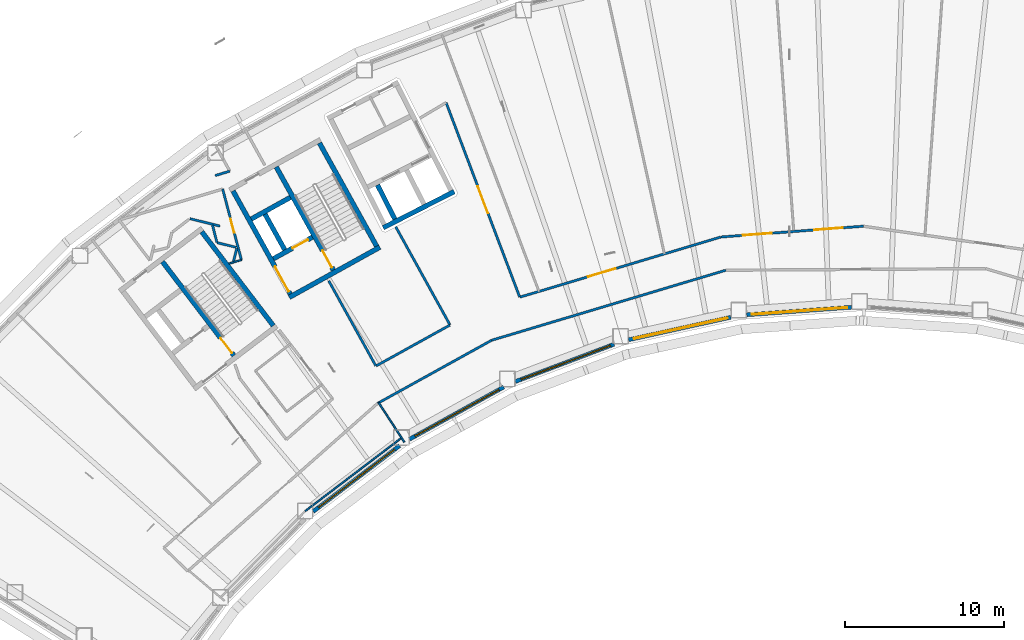
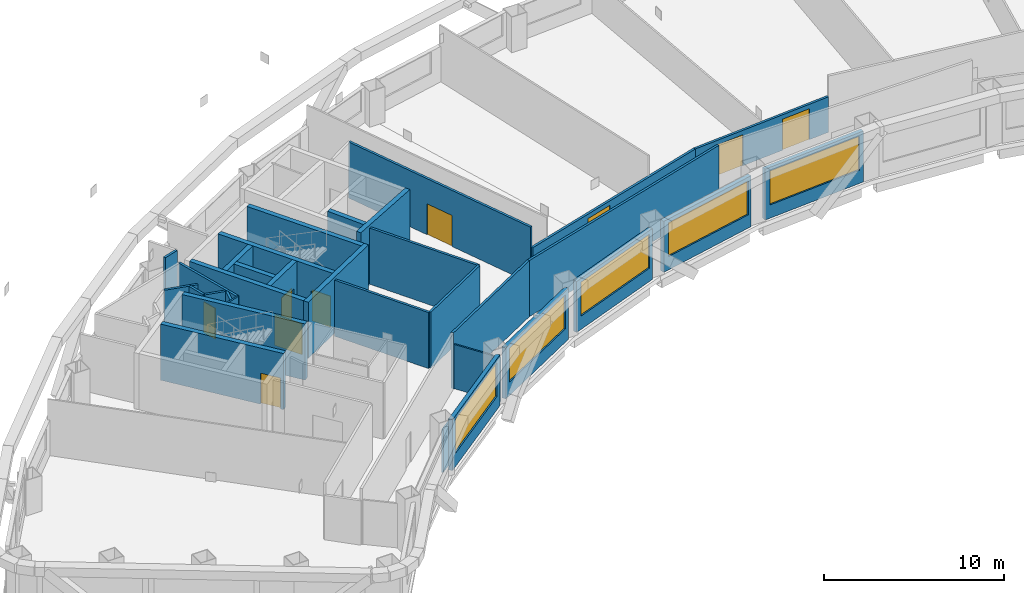
# One storey, part 4 of 19: 33 walls, 9 doors, 5 windows, 14 openings.
"""IFC4 building model written with IfcOpenShell, lengths in metres."""

from ifc_helpers import new_model, si_unit, direction, frame, frame_2d, origin, place, context, subcontext, project, spatial, rectangle, extrude, material, layer, layer_set, type_object, element, fill, save


model = new_model("IFC4")

# Units and contexts
model_context = context("Model", 3, precision=1e-05, world=origin(), true_north=direction((0.0, 1.0)))
body_context = subcontext(model_context, "Body", "Model", "MODEL_VIEW")
ifc_project = project(units=[si_unit("LENGTHUNIT", "METRE"), si_unit("AREAUNIT", "SQUARE_METRE"), si_unit("VOLUMEUNIT", "CUBIC_METRE"), si_unit("PLANEANGLEUNIT", "RADIAN"), si_unit("MASSUNIT", "GRAM", prefix="KILO")], contexts=[model_context])

# Site, building, storey
site_placement = place(None, origin())
site = spatial("IfcSite", under=ifc_project, at=site_placement, CompositionType="ELEMENT")
building_placement = place(site_placement, origin())
building = spatial("IfcBuilding", under=site, at=building_placement, Name="Tuul Gate Civic Tower", CompositionType="ELEMENT")
storey_placement = place(building_placement, frame((0.0, 0.0, 163.39990234375)))
storey = spatial("IfcBuildingStorey", under=building, at=storey_placement, Name="Level 37", CompositionType="ELEMENT", Elevation=163.39990234375)

# Wall
ifc_material_1 = material(Name="Concrete C50/60", Category="concrete")
ifc_layer_1 = layer(ifc_material_1, 0.300048828125)
ifc_layer_set_1 = layer_set([ifc_layer_1], Name="Concrete C50/60")
wall_type_1 = type_object("IfcWallType", Name="Core wall C50/60", PredefinedType="SHEAR", material=ifc_layer_set_1)
wall_1_placement = place(storey_placement, frame((-31.401123046875, -13.64111328125, 0.0), z_axis=(0.0, 0.0, 1.0), x_axis=(-0.605769822278, 0.795639945213, 0.0)))
element("IfcWall", 1, at=wall_1_placement, inside=storey, type_object=wall_type_1, Name="Core wall", PredefinedType="SHEAR", context=body_context, shape_type="SweptSolid", body=[
    extrude(rectangle(XDim=7.39990234375, YDim=0.300048828125, at=frame_2d((3.699951171875, 0.0))), origin(), (0.0, 0.0, 1.0), 3.800048828125),
])

# Wall, opening, door
wall_2_placement = place(storey_placement, frame((-33.867431640625, -15.51904296875, 0.0), z_axis=(0.0, 0.0, 1.0), x_axis=(-0.605769822278, 0.795639945213, 0.0)))
wall_2 = element("IfcWall", 2, at=wall_2_placement, inside=storey, type_object=wall_type_1, Name="Core wall", PredefinedType="SHEAR", context=body_context, shape_type="SweptSolid", body=[
    extrude(rectangle(XDim=7.39990234375, YDim=0.300048828125, at=frame_2d((3.699951171875, 0.0))), origin(), (0.0, 0.0, 1.0), 3.800048828125),
])
opening_1_placement = place(wall_2_placement, frame((0.199951171875, 0.0, 0.0)))
opening_1 = element("IfcOpeningElement", 3, at=opening_1_placement, cuts=wall_2, Name="Opening SD-ST-1", PredefinedType="OPENING", context=body_context, shape_type="SweptSolid", body=[
    extrude(rectangle(XDim=1.199951171875, YDim=2.10009765625, at=frame_2d((0.60009765625, 1.050048828125))), frame((0.0, 0.16015625, 0.0), z_axis=(0.0, -1.0, 0.0), x_axis=(1.0, 0.0, 0.0)), (0.0, 0.0, 1.0), 0.320068359375),
])
ifc_material_2 = material(Name="Steel", Category="steel")
door_type_1 = type_object("IfcDoorType", Name="Stair door", OperationType="NOTDEFINED", PredefinedType="DOOR", material=ifc_material_2)
door_1_placement = place(opening_1_placement, origin())
door_1 = element("IfcDoor", 4, at=door_1_placement, inside=storey, type_object=door_type_1, Name="Stair door ST-1", OperationType="SINGLE_SWING_LEFT", OverallHeight=2.10009765625, OverallWidth=1.199951171875, PredefinedType="DOOR", context=body_context, shape_type="SweptSolid", body=[
    extrude(rectangle(XDim=1.199951171875, YDim=2.10009765625, at=frame_2d((0.60009765625, 1.050048828125))), frame((0.0, 0.02490234375, 0.0), z_axis=(0.0, -1.0, 0.0), x_axis=(1.0, 0.0, 0.0)), (0.0, 0.0, 1.0), 0.050048828125),
])
fill(opening_1, door_1)

# Wall
wall_3_placement = place(storey_placement, frame((-24.711669921875, -8.7158203125, 0.0), z_axis=(0.0, 0.0, 1.0), x_axis=(-0.874629909008, -0.484791215132, 0.0)))
element("IfcWall", 5, at=wall_3_placement, inside=storey, type_object=wall_type_1, Name="Core wall", PredefinedType="SHEAR", context=body_context, shape_type="SweptSolid", body=[
    extrude(rectangle(XDim=6.5, YDim=0.300048828125, at=frame_2d((3.25, 0.0))), origin(), (0.0, 0.0, 1.0), 3.800048828125),
])

# Wall, opening, door
wall_4_placement = place(storey_placement, frame((-28.94580078125, -8.090087890625, 0.0), z_axis=(0.0, 0.0, 1.0), x_axis=(-0.874629840737, -0.484791338301, 0.0)))
wall_4 = element("IfcWall", 6, at=wall_4_placement, inside=storey, type_object=wall_type_1, Name="Core wall", PredefinedType="SHEAR", context=body_context, shape_type="SweptSolid", body=[
    extrude(rectangle(XDim=2.800048828125, YDim=0.300048828125, at=frame_2d((1.39990234375, 0.0))), origin(), (0.0, 0.0, 1.0), 3.800048828125),
])
opening_2_placement = place(wall_4_placement, frame((0.324951171875, 0.0, 0.0)))
opening_2 = element("IfcOpeningElement", 7, at=opening_2_placement, cuts=wall_4, Name="Opening LD-FF-1", PredefinedType="OPENING", context=body_context, shape_type="SweptSolid", body=[
    extrude(rectangle(XDim=1.10009765625, YDim=2.10009765625, at=frame_2d((0.550048828125, 1.050048828125))), frame((0.0, 0.16015625, 0.0), z_axis=(0.0, -1.0, 0.0), x_axis=(1.0, 0.0, 0.0)), (0.0, 0.0, 1.0), 0.320068359375),
])
ifc_material_3 = material(Name="Stainless steel", Category="steel")
door_type_2 = type_object("IfcDoorType", Name="Landing door", OperationType="DOUBLE_DOOR_SLIDING", PredefinedType="DOOR", material=ifc_material_3)
door_2_placement = place(opening_2_placement, origin())
door_2 = element("IfcDoor", 8, at=door_2_placement, inside=storey, type_object=door_type_2, Name="Fire-fighting lift FF-1 landing door", OperationType="DOUBLE_DOOR_SLIDING", OverallHeight=2.10009765625, OverallWidth=1.10009765625, PredefinedType="DOOR", context=body_context, shape_type="SweptSolid", body=[
    extrude(rectangle(XDim=1.10009765625, YDim=2.10009765625, at=frame_2d((0.550048828125, 1.050048828125))), frame((0.0, 0.02490234375, 0.0), z_axis=(0.0, -1.0, 0.0), x_axis=(1.0, 0.0, 0.0)), (0.0, 0.0, 1.0), 0.050048828125),
])
fill(opening_2, door_2)

# Walls
wall_5_placement = place(storey_placement, frame((-30.327392578125, -5.59716796875, 0.0), z_axis=(0.0, 0.0, 1.0), x_axis=(-0.874629840737, -0.484791338301, 0.0)))
element("IfcWall", 9, at=wall_5_placement, inside=storey, type_object=wall_type_1, Name="Core wall", PredefinedType="SHEAR", context=body_context, shape_type="SweptSolid", body=[
    extrude(rectangle(XDim=2.800048828125, YDim=0.300048828125, at=frame_2d((1.39990234375, 0.0))), origin(), (0.0, 0.0, 1.0), 3.800048828125),
])
wall_6_placement = place(storey_placement, frame((-24.91552734375, -8.6572265625, 0.0), z_axis=(0.0, 0.0, 1.0), x_axis=(-0.484777133038, 0.874637714304, 0.0)))
element("IfcWall", 10, at=wall_6_placement, inside=storey, type_object=wall_type_1, Name="Core wall", PredefinedType="SHEAR", context=body_context, shape_type="SweptSolid", body=[
    extrude(rectangle(XDim=7.400146484375, YDim=0.300048828125, at=frame_2d((3.7001953125, 0.0))), origin(), (0.0, 0.0, 1.0), 3.800048828125),
])

# Wall, opening, door
wall_7_placement = place(storey_placement, frame((-27.626953125, -10.16015625, 0.0), z_axis=(0.0, 0.0, 1.0), x_axis=(-0.484751894226, 0.874651702704, 0.0)))
wall_7 = element("IfcWall", 11, at=wall_7_placement, inside=storey, type_object=wall_type_1, Name="Core wall", PredefinedType="SHEAR", context=body_context, shape_type="SweptSolid", body=[
    extrude(rectangle(XDim=7.39990234375, YDim=0.300048828125, at=frame_2d((3.699951171875, 0.0))), origin(), (0.0, 0.0, 1.0), 3.800048828125),
])
opening_3_placement = place(wall_7_placement, frame((0.199951171875, 0.0, 0.0)))
opening_3 = element("IfcOpeningElement", 12, at=opening_3_placement, cuts=wall_7, Name="Opening SD-ST-2", PredefinedType="OPENING", context=body_context, shape_type="SweptSolid", body=[
    extrude(rectangle(XDim=1.199951171875, YDim=2.10009765625, at=frame_2d((0.60009765625, 1.050048828125))), frame((0.0, 0.16015625, 0.0), z_axis=(0.0, -1.0, 0.0), x_axis=(1.0, 0.0, 0.0)), (0.0, 0.0, 1.0), 0.320068359375),
])
door_3_placement = place(opening_3_placement, origin())
door_3 = element("IfcDoor", 13, at=door_3_placement, inside=storey, type_object=door_type_1, Name="Stair door ST-2", OperationType="SINGLE_SWING_LEFT", OverallHeight=2.10009765625, OverallWidth=1.199951171875, PredefinedType="DOOR", context=body_context, shape_type="SweptSolid", body=[
    extrude(rectangle(XDim=1.199951171875, YDim=2.10009765625, at=frame_2d((0.60009765625, 1.050048828125))), frame((0.0, 0.02490234375, 0.0), z_axis=(0.0, -1.0, 0.0), x_axis=(1.0, 0.0, 0.0)), (0.0, 0.0, 1.0), 0.050048828125),
])
fill(opening_3, door_3)

# Wall
wall_8_placement = place(storey_placement, frame((-30.680419921875, -8.8798828125, 0.0), z_axis=(0.0, 0.0, 1.0), x_axis=(-0.484724115216, 0.874667097888, 0.0)))
element("IfcWall", 14, at=wall_8_placement, inside=storey, type_object=wall_type_1, Name="Core wall", PredefinedType="SHEAR", context=body_context, shape_type="SweptSolid", body=[
    extrude(rectangle(XDim=2.550048828125, YDim=0.300048828125, at=frame_2d((1.27490234375, 0.0))), origin(), (0.0, 0.0, 1.0), 3.800048828125),
])

# Wall, opening, door
wall_9_placement = place(storey_placement, frame((-30.33837890625, -11.6630859375, 0.0), z_axis=(0.0, 0.0, 1.0), x_axis=(-0.484751894226, 0.874651702704, 0.0)))
wall_9 = element("IfcWall", 15, at=wall_9_placement, inside=storey, type_object=wall_type_1, Name="Core wall", PredefinedType="SHEAR", context=body_context, shape_type="SweptSolid", body=[
    extrude(rectangle(XDim=7.39990234375, YDim=0.300048828125, at=frame_2d((3.699951171875, 0.0))), origin(), (0.0, 0.0, 1.0), 3.800048828125),
])
opening_4_placement = place(wall_9_placement, frame((0.175048828125, 0.0, 0.0)))
opening_4 = element("IfcOpeningElement", 16, at=opening_4_placement, cuts=wall_9, Name="Opening LB-W2-FLOBBY-1", PredefinedType="OPENING", context=body_context, shape_type="SweptSolid", body=[
    extrude(rectangle(XDim=1.800048828125, YDim=2.10009765625, at=frame_2d((0.89990234375, 1.050048828125))), frame((0.0, 0.16015625, 0.0), z_axis=(0.0, -1.0, 0.0), x_axis=(1.0, 0.0, 0.0)), (0.0, 0.0, 1.0), 0.320068359375),
])
ifc_material_4 = material(Name="Steel", Category="steel")
door_type_3 = type_object("IfcDoorType", Name="Lobby door", OperationType="DOUBLE_DOOR_SINGLE_SWING", PredefinedType="DOOR", material=ifc_material_4)
door_4_placement = place(opening_4_placement, frame((1.800048828125, 0.0, 0.0), z_axis=(0.0, 0.0, 1.0), x_axis=(-1.0, 0.0, 0.0)))
door_4 = element("IfcDoor", 17, at=door_4_placement, inside=storey, type_object=door_type_3, Name="Lobby door W2-FLOBBY", OperationType="DOUBLE_DOOR_SINGLE_SWING", OverallHeight=2.10009765625, OverallWidth=1.800048828125, PredefinedType="DOOR", context=body_context, shape_type="SweptSolid", body=[
    extrude(rectangle(XDim=1.800048828125, YDim=2.10009765625, at=frame_2d((0.900146484375, 1.050048828125))), frame((0.0, 0.02490234375, 0.0), z_axis=(0.0, -1.0, 0.0), x_axis=(1.0, 0.0, 0.0)), (0.0, 0.0, 1.0), 0.050048828125),
])
fill(opening_4, door_4)

ifc_material_5 = material(Name="Gypsum board partition")
ifc_layer_2 = layer(ifc_material_5, 0.14990234375)
ifc_layer_set_2 = layer_set([ifc_layer_2], Name="Gypsum board partition")
wall_type_2 = type_object("IfcWallType", Name="Corridor wall P150", PredefinedType="PARTITIONING", material=ifc_layer_set_2)
wall_10_placement = place(storey_placement, frame((-20.558349609375, 0.35009765625, 0.0), z_axis=(0.0, 0.0, 1.0), x_axis=(0.354009888457, -0.935241679394, 0.0)))
wall_10 = element("IfcWall", 18, at=wall_10_placement, inside=storey, type_object=wall_type_2, Name="p025", PredefinedType="PARTITIONING", context=body_context, shape_type="SweptSolid", body=[
    extrude(rectangle(XDim=13.0341796875, YDim=0.14990234375, at=frame_2d((6.51708984375, 0.0))), origin(), (0.0, 0.0, 1.0), 3.800048828125),
])
opening_5_placement = place(wall_10_placement, frame((5.6171875, 0.0, 0.0)))
opening_5 = element("IfcOpeningElement", 19, at=opening_5_placement, cuts=wall_10, Name="Opening M-D09", PredefinedType="OPENING", context=body_context, shape_type="SweptSolid", body=[
    extrude(rectangle(XDim=1.800048828125, YDim=2.10009765625, at=frame_2d((0.89990234375, 1.050048828125))), frame((0.0, 0.0849609375, 0.0), z_axis=(0.0, -1.0, 0.0), x_axis=(1.0, 0.0, 0.0)), (0.0, 0.0, 1.0), 0.169921875),
])
ifc_material_6 = material(Name="Timber door leaf, double", Category="wood")
door_type_4 = type_object("IfcDoorType", Name="Door D18", OperationType="DOUBLE_DOOR_SINGLE_SWING", PredefinedType="DOOR", material=ifc_material_6)
door_5_placement = place(opening_5_placement, origin())
door_5 = element("IfcDoor", 20, at=door_5_placement, inside=storey, type_object=door_type_4, Name="Door M-D09", OperationType="DOUBLE_DOOR_SINGLE_SWING", OverallHeight=2.10009765625, OverallWidth=1.800048828125, PredefinedType="DOOR", context=body_context, shape_type="SweptSolid", body=[
    extrude(rectangle(XDim=1.800048828125, YDim=2.10009765625, at=frame_2d((0.89990234375, 1.050048828125))), frame((0.0, 0.02490234375, 0.0), z_axis=(0.0, -1.0, 0.0), x_axis=(1.0, 0.0, 0.0)), (0.0, 0.0, 1.0), 0.050048828125),
])
fill(opening_5, door_5)

# Walls
wall_11_placement = place(storey_placement, frame((-23.71826171875, -7.438720703125, 0.0), z_axis=(0.0, 0.0, 1.0), x_axis=(0.484048931003, -0.87504093184, 0.0)))
element("IfcWall", 21, at=wall_11_placement, inside=storey, type_object=wall_type_2, Name="p027", PredefinedType="PARTITIONING", context=body_context, shape_type="SweptSolid", body=[
    extrude(rectangle(XDim=7.02587890625, YDim=0.14990234375, at=frame_2d((3.512939453125, 0.0))), origin(), (0.0, 0.0, 1.0), 3.800048828125),
])
wall_12_placement = place(storey_placement, frame((-24.942626953125, -16.166015625, 0.0), z_axis=(0.0, 0.0, 1.0), x_axis=(0.874968135555, 0.484180505352, 0.0)))
element("IfcWall", 22, at=wall_12_placement, inside=storey, type_object=wall_type_2, Name="p028", PredefinedType="PARTITIONING", context=body_context, shape_type="SweptSolid", body=[
    extrude(rectangle(XDim=5.275390625, YDim=0.14990234375, at=frame_2d((2.6376953125, 0.0))), origin(), (0.0, 0.0, 1.0), 3.800048828125),
])
wall_13_placement = place(storey_placement, frame((-27.91650390625, -10.835205078125, 0.0), z_axis=(0.0, 0.0, 1.0), x_axis=(0.484211103294, -0.874951202894, 0.0)))
element("IfcWall", 23, at=wall_13_placement, inside=storey, type_object=wall_type_2, Name="p030", PredefinedType="PARTITIONING", context=body_context, shape_type="SweptSolid", body=[
    extrude(rectangle(XDim=6.083251953125, YDim=0.14990234375, at=frame_2d((3.04150390625, 0.0))), origin(), (0.0, 0.0, 1.0), 3.800048828125),
])
wall_14_placement = place(storey_placement, frame((-33.906005859375, -9.671142578125, 0.0), z_axis=(0.0, 0.0, 1.0), x_axis=(0.23968309313, 0.970851180598, 0.0)))
element("IfcWall", 24, at=wall_14_placement, inside=storey, type_object=wall_type_2, Name="p031", PredefinedType="PARTITIONING", context=body_context, shape_type="SweptSolid", body=[
    extrude(rectangle(XDim=0.906494140625, YDim=0.14990234375, at=frame_2d((0.453125, 0.0))), origin(), (0.0, 0.0, 1.0), 3.800048828125),
])
wall_15_placement = place(storey_placement, frame((-34.923583984375, -8.434326171875, 0.0), z_axis=(0.0, 0.0, 1.0), x_axis=(0.970779178177, -0.239974555355, 0.0)))
element("IfcWall", 25, at=wall_15_placement, inside=storey, type_object=wall_type_2, Name="p033", PredefinedType="PARTITIONING", context=body_context, shape_type="SweptSolid", body=[
    extrude(rectangle(XDim=1.234130859375, YDim=0.14990234375, at=frame_2d((0.6171875, 0.0))), origin(), (0.0, 0.0, 1.0), 3.800048828125),
])
wall_16_placement = place(storey_placement, frame((-34.93798828125, -8.41015625, 0.0), z_axis=(0.0, 0.0, 1.0), x_axis=(-0.244242242557, 0.969714250153, 0.0)))
element("IfcWall", 26, at=wall_16_placement, inside=storey, type_object=wall_type_2, Name="p034", PredefinedType="PARTITIONING", context=body_context, shape_type="SweptSolid", body=[
    extrude(rectangle(XDim=1.110595703125, YDim=0.14990234375, at=frame_2d((0.55517578125, 0.0))), origin(), (0.0, 0.0, 1.0), 3.800048828125),
])
wall_17_placement = place(storey_placement, frame((-36.623046875, -6.93310546875, 0.0), z_axis=(0.0, 0.0, 1.0), x_axis=(0.970856461528, -0.239661701381, 0.0)))
element("IfcWall", 27, at=wall_17_placement, inside=storey, type_object=wall_type_2, Name="p035", PredefinedType="PARTITIONING", context=body_context, shape_type="SweptSolid", body=[
    extrude(rectangle(XDim=1.939697265625, YDim=0.14990234375, at=frame_2d((0.9697265625, 0.0))), origin(), (0.0, 0.0, 1.0), 3.800048828125),
])

# Wall, opening, door
wall_18_placement = place(storey_placement, frame((-34.57421875, -5.072265625, 0.0), z_axis=(0.0, 0.0, 1.0), x_axis=(0.255677872775, -0.966762031409, 0.0)))
wall_18 = element("IfcWall", 28, at=wall_18_placement, inside=storey, type_object=wall_type_2, Name="p042", PredefinedType="PARTITIONING", context=body_context, shape_type="SweptSolid", body=[
    extrude(rectangle(XDim=4.594970703125, YDim=0.14990234375, at=frame_2d((2.29736328125, 0.0))), origin(), (0.0, 0.0, 1.0), 3.800048828125),
])
opening_6_placement = place(wall_18_placement, frame((1.930908203125, 0.0, 0.0)))
opening_6 = element("IfcOpeningElement", 29, at=opening_6_placement, cuts=wall_18, Name="Opening M-D10", PredefinedType="OPENING", context=body_context, shape_type="SweptSolid", body=[
    extrude(rectangle(XDim=0.89990234375, YDim=2.10009765625, at=frame_2d((0.449951171875, 1.050048828125))), frame((0.0, 0.0849609375, 0.0), z_axis=(0.0, -1.0, 0.0), x_axis=(1.0, 0.0, 0.0)), (0.0, 0.0, 1.0), 0.169921875),
])
ifc_material_7 = material(Name="Timber door leaf", Category="wood")
door_type_5 = type_object("IfcDoorType", Name="Door D09", OperationType="NOTDEFINED", PredefinedType="DOOR", material=ifc_material_7)
door_6_placement = place(opening_6_placement, origin())
door_6 = element("IfcDoor", 30, at=door_6_placement, inside=storey, type_object=door_type_5, Name="Door M-D10", OperationType="SINGLE_SWING_RIGHT", OverallHeight=2.10009765625, OverallWidth=0.89990234375, PredefinedType="DOOR", context=body_context, shape_type="SweptSolid", body=[
    extrude(rectangle(XDim=0.89990234375, YDim=2.10009765625, at=frame_2d((0.449951171875, 1.050048828125))), frame((0.0, 0.02490234375, 0.0), z_axis=(0.0, -1.0, 0.0), x_axis=(1.0, 0.0, 0.0)), (0.0, 0.0, 1.0), 0.050048828125),
])
fill(opening_6, door_6)

# Walls
wall_19_placement = place(storey_placement, frame((-24.854248046875, -18.51708984375, 0.0), z_axis=(0.0, 0.0, 1.0), x_axis=(0.874976152278, 0.484166017958, 0.0)))
element("IfcWall", 31, at=wall_19_placement, inside=storey, type_object=wall_type_2, Name="p057", PredefinedType="PARTITIONING", context=body_context, shape_type="SweptSolid", body=[
    extrude(rectangle(XDim=8.17236328125, YDim=0.14990234375, at=frame_2d((4.086181640625, 0.0))), origin(), (0.0, 0.0, 1.0), 3.800048828125),
])
wall_20_placement = place(storey_placement, frame((-17.70361328125, -14.560302734375, 0.0), z_axis=(0.0, 0.0, 1.0), x_axis=(0.958035068095, 0.286651021804, 0.0)))
element("IfcWall", 32, at=wall_20_placement, inside=storey, type_object=wall_type_2, Name="p058", PredefinedType="PARTITIONING", context=body_context, shape_type="SweptSolid", body=[
    extrude(rectangle(XDim=15.333251953125, YDim=0.14990234375, at=frame_2d((7.66650390625, 0.0))), origin(), (0.0, 0.0, 1.0), 3.800048828125),
])
wall_21_placement = place(storey_placement, frame((-35.049560546875, -4.23291015625, 0.0), z_axis=(0.0, 0.0, 1.0), x_axis=(0.955246740778, 0.295810182773, 0.0)))
element("IfcWall", 33, at=wall_21_placement, inside=storey, type_object=wall_type_2, Name="p064", PredefinedType="PARTITIONING", context=body_context, shape_type="SweptSolid", body=[
    extrude(rectangle(XDim=0.96484375, YDim=0.14990234375, at=frame_2d((0.482421875, 0.0))), origin(), (0.0, 0.0, 1.0), 3.800048828125),
])

# Wall, openings, doors
ifc_material_8 = material(Name="Gypsum board partition")
ifc_layer_3 = layer(ifc_material_8, 0.14990234375)
ifc_layer_set_3 = layer_set([ifc_layer_3], Name="Gypsum board partition")
wall_type_3 = type_object("IfcWallType", Name="Corridor wall P150 2400 HIGH", PredefinedType="PARTITIONING", material=ifc_layer_set_3)
wall_22_placement = place(storey_placement, frame((-3.32275390625, -8.082275390625, 0.0), z_axis=(0.0, 0.0, 1.0), x_axis=(0.997138148299, 0.075601013265, 0.0)))
wall_22 = element("IfcWall", 34, at=wall_22_placement, inside=storey, type_object=wall_type_3, Name="p021", PredefinedType="PARTITIONING", context=body_context, shape_type="SweptSolid", body=[
    extrude(rectangle(XDim=8.964599609375, YDim=0.14990234375, at=frame_2d((4.482421875, 0.0))), origin(), (0.0, 0.0, 1.0), 2.400146484375),
])
opening_7_placement = place(wall_22_placement, frame((5.875244140625, 0.0, 0.0)))
opening_7 = element("IfcOpeningElement", 35, at=opening_7_placement, cuts=wall_22, Name="Opening M-D06", PredefinedType="OPENING", context=body_context, shape_type="SweptSolid", body=[
    extrude(rectangle(XDim=1.800048828125, YDim=2.10009765625, at=frame_2d((0.89990234375, 1.050048828125))), frame((0.0, 0.0849609375, 0.0), z_axis=(0.0, -1.0, 0.0), x_axis=(1.0, 0.0, 0.0)), (0.0, 0.0, 1.0), 0.169921875),
])
opening_8_placement = place(wall_22_placement, frame((1.39306640625, 0.0, 0.0)))
opening_8 = element("IfcOpeningElement", 36, at=opening_8_placement, cuts=wall_22, Name="Opening M-D07", PredefinedType="OPENING", context=body_context, shape_type="SweptSolid", body=[
    extrude(rectangle(XDim=1.800048828125, YDim=2.10009765625, at=frame_2d((0.89990234375, 1.050048828125))), frame((0.0, 0.0849609375, 0.0), z_axis=(0.0, -1.0, 0.0), x_axis=(1.0, 0.0, 0.0)), (0.0, 0.0, 1.0), 0.169921875),
])
door_7_placement = place(opening_7_placement, origin())
door_7 = element("IfcDoor", 37, at=door_7_placement, inside=storey, type_object=door_type_4, Name="Door M-D06", OperationType="DOUBLE_DOOR_SINGLE_SWING", OverallHeight=2.10009765625, OverallWidth=1.800048828125, PredefinedType="DOOR", context=body_context, shape_type="SweptSolid", body=[
    extrude(rectangle(XDim=1.800048828125, YDim=2.10009765625, at=frame_2d((0.89990234375, 1.050048828125))), frame((0.0, 0.02490234375, 0.0), z_axis=(0.0, -1.0, 0.0), x_axis=(1.0, 0.0, 0.0)), (0.0, 0.0, 1.0), 0.050048828125),
])
fill(opening_7, door_7)
door_8_placement = place(opening_8_placement, origin())
door_8 = element("IfcDoor", 38, at=door_8_placement, inside=storey, type_object=door_type_4, Name="Door M-D07", OperationType="DOUBLE_DOOR_SINGLE_SWING", OverallHeight=2.10009765625, OverallWidth=1.800048828125, PredefinedType="DOOR", context=body_context, shape_type="SweptSolid", body=[
    extrude(rectangle(XDim=1.800048828125, YDim=2.10009765625, at=frame_2d((0.89990234375, 1.050048828125))), frame((0.0, 0.02490234375, 0.0), z_axis=(0.0, -1.0, 0.0), x_axis=(1.0, 0.0, 0.0)), (0.0, 0.0, 1.0), 0.050048828125),
])
fill(opening_8, door_8)

# Wall, opening, door
wall_23_placement = place(storey_placement, frame((-15.919677734375, -11.851318359375, 0.0), z_axis=(0.0, 0.0, 1.0), x_axis=(0.95802895797, 0.286671442055, 0.0)))
wall_23 = element("IfcWall", 39, at=wall_23_placement, inside=storey, type_object=wall_type_3, Name="p023", PredefinedType="PARTITIONING", context=body_context, shape_type="SweptSolid", body=[
    extrude(rectangle(XDim=13.146728515625, YDim=0.14990234375, at=frame_2d((6.5732421875, 0.0))), origin(), (0.0, 0.0, 1.0), 2.400146484375),
])
opening_9_placement = place(wall_23_placement, frame((4.446044921875, 0.0, 0.0)))
opening_9 = element("IfcOpeningElement", 40, at=opening_9_placement, cuts=wall_23, Name="Opening M-D08", PredefinedType="OPENING", context=body_context, shape_type="SweptSolid", body=[
    extrude(rectangle(XDim=1.800048828125, YDim=2.10009765625, at=frame_2d((0.89990234375, 1.050048828125))), frame((0.0, 0.0849609375, 0.0), z_axis=(0.0, -1.0, 0.0), x_axis=(1.0, 0.0, 0.0)), (0.0, 0.0, 1.0), 0.169921875),
])
door_9_placement = place(opening_9_placement, origin())
door_9 = element("IfcDoor", 41, at=door_9_placement, inside=storey, type_object=door_type_4, Name="Door M-D08", OperationType="DOUBLE_DOOR_SINGLE_SWING", OverallHeight=2.10009765625, OverallWidth=1.800048828125, PredefinedType="DOOR", context=body_context, shape_type="SweptSolid", body=[
    extrude(rectangle(XDim=1.800048828125, YDim=2.10009765625, at=frame_2d((0.89990234375, 1.050048828125))), frame((0.0, 0.02490234375, 0.0), z_axis=(0.0, -1.0, 0.0), x_axis=(1.0, 0.0, 0.0)), (0.0, 0.0, 1.0), 0.050048828125),
])
fill(opening_9, door_9)

# Wall, opening, window
ifc_material_9 = material(Name="Precast concrete C40/50", Category="concrete")
ifc_layer_4 = layer(ifc_material_9, 0.25)
ifc_layer_set_4 = layer_set([ifc_layer_4], Name="Precast concrete C40/50")
wall_type_4 = type_object("IfcWallType", Name="External wall", PredefinedType="STANDARD", material=ifc_layer_set_4)
wall_24_placement = place(storey_placement, frame((-28.89306640625, -25.2998046875, 0.0), z_axis=(0.0, 0.0, 1.0), x_axis=(0.795597025415, 0.605826190546, 0.0)))
wall_24 = element("IfcWall", 42, at=wall_24_placement, inside=storey, type_object=wall_type_4, Name="External wall", PredefinedType="STANDARD", context=body_context, shape_type="SweptSolid", body=[
    extrude(rectangle(XDim=6.813232421875, YDim=0.25, at=frame_2d((3.40673828125, 0.0))), origin(), (0.0, 0.0, 1.0), 3.4501953125),
])
opening_10_placement = place(wall_24_placement, frame((0.41552734375, 0.0, 0.89990234375)))
opening_10 = element("IfcOpeningElement", 43, at=opening_10_placement, cuts=wall_24, Name="Opening W26", PredefinedType="OPENING", context=body_context, shape_type="SweptSolid", body=[
    extrude(rectangle(XDim=6.0, YDim=2.300048828125, at=frame_2d((3.0, 1.14990234375))), frame((0.0, 0.135009765625, 0.0), z_axis=(0.0, -1.0, 0.0), x_axis=(1.0, 0.0, 0.0)), (0.0, 0.0, 1.0), 0.27001953125),
])
ifc_material_10 = material(Name="Glass", Category="glass")
window_type = type_object("IfcWindowType", Name="Window W26 6000 x 2300", PartitioningType="SINGLE_PANEL", PredefinedType="WINDOW", material=ifc_material_10)
window_1_placement = place(opening_10_placement, origin())
window_1 = element("IfcWindow", 44, at=window_1_placement, inside=storey, type_object=window_type, Name="Window", OverallHeight=2.300048828125, OverallWidth=6.0, PartitioningType="SINGLE_PANEL", PredefinedType="WINDOW", context=body_context, shape_type="SweptSolid", body=[
    extrude(rectangle(XDim=6.0, YDim=2.300048828125, at=frame_2d((3.0, 1.14990234375))), frame((0.0, 0.030029296875, 0.0), z_axis=(0.0, -1.0, 0.0), x_axis=(1.0, 0.0, 0.0)), (0.0, 0.0, 1.0), 0.06005859375),
])
fill(opening_10, window_1)

wall_25_placement = place(storey_placement, frame((-22.85302734375, -20.766845703125, 0.0), z_axis=(0.0, 0.0, 1.0), x_axis=(0.874615488592, 0.484817230628, 0.0)))
wall_25 = element("IfcWall", 45, at=wall_25_placement, inside=storey, type_object=wall_type_4, Name="External wall", PredefinedType="STANDARD", context=body_context, shape_type="SweptSolid", body=[
    extrude(rectangle(XDim=6.7548828125, YDim=0.25, at=frame_2d((3.37744140625, 0.0))), origin(), (0.0, 0.0, 1.0), 3.4501953125),
])
opening_11_placement = place(wall_25_placement, frame((0.40478515625, 0.0, 0.89990234375)))
opening_11 = element("IfcOpeningElement", 46, at=opening_11_placement, cuts=wall_25, Name="Opening W26", PredefinedType="OPENING", context=body_context, shape_type="SweptSolid", body=[
    extrude(rectangle(XDim=6.0, YDim=2.300048828125, at=frame_2d((3.0, 1.14990234375))), frame((0.0, 0.135009765625, 0.0), z_axis=(0.0, -1.0, 0.0), x_axis=(1.0, 0.0, 0.0)), (0.0, 0.0, 1.0), 0.27001953125),
])
window_2_placement = place(opening_11_placement, origin())
window_2 = element("IfcWindow", 47, at=window_2_placement, inside=storey, type_object=window_type, Name="Window", OverallHeight=2.300048828125, OverallWidth=6.0, PartitioningType="SINGLE_PANEL", PredefinedType="WINDOW", context=body_context, shape_type="SweptSolid", body=[
    extrude(rectangle(XDim=6.0, YDim=2.300048828125, at=frame_2d((3.0, 1.14990234375))), frame((0.0, 0.030029296875, 0.0), z_axis=(0.0, -1.0, 0.0), x_axis=(1.0, 0.0, 0.0)), (0.0, 0.0, 1.0), 0.06005859375),
])
fill(opening_11, window_2)

wall_26_placement = place(storey_placement, frame((-16.212890625, -17.150146484375, 0.0), z_axis=(0.0, 0.0, 1.0), x_axis=(0.935354811562, 0.353710865662, 0.0)))
wall_26 = element("IfcWall", 48, at=wall_26_placement, inside=storey, type_object=wall_type_4, Name="External wall", PredefinedType="STANDARD", context=body_context, shape_type="SweptSolid", body=[
    extrude(rectangle(XDim=6.624755859375, YDim=0.25, at=frame_2d((3.3125, 0.0))), origin(), (0.0, 0.0, 1.0), 3.4501953125),
])
opening_12_placement = place(wall_26_placement, frame((0.384521484375, 0.0, 0.89990234375)))
opening_12 = element("IfcOpeningElement", 49, at=opening_12_placement, cuts=wall_26, Name="Opening W26", PredefinedType="OPENING", context=body_context, shape_type="SweptSolid", body=[
    extrude(rectangle(XDim=6.0, YDim=2.300048828125, at=frame_2d((3.0, 1.14990234375))), frame((0.0, 0.135009765625, 0.0), z_axis=(0.0, -1.0, 0.0), x_axis=(1.0, 0.0, 0.0)), (0.0, 0.0, 1.0), 0.27001953125),
])
window_3_placement = place(opening_12_placement, origin())
window_3 = element("IfcWindow", 50, at=window_3_placement, inside=storey, type_object=window_type, Name="Window", OverallHeight=2.300048828125, OverallWidth=6.0, PartitioningType="SINGLE_PANEL", PredefinedType="WINDOW", context=body_context, shape_type="SweptSolid", body=[
    extrude(rectangle(XDim=6.0, YDim=2.300048828125, at=frame_2d((3.0, 1.14990234375))), frame((0.0, 0.030029296875, 0.0), z_axis=(0.0, -1.0, 0.0), x_axis=(1.0, 0.0, 0.0)), (0.0, 0.0, 1.0), 0.06005859375),
])
fill(opening_12, window_3)

wall_27_placement = place(storey_placement, frame((-9.112060546875, -14.529296875, 0.0), z_axis=(0.0, 0.0, 1.0), x_axis=(0.976557337415, 0.215257442942, 0.0)))
wall_27 = element("IfcWall", 51, at=wall_27_placement, inside=storey, type_object=wall_type_4, Name="External wall", PredefinedType="STANDARD", context=body_context, shape_type="SweptSolid", body=[
    extrude(rectangle(XDim=6.568115234375, YDim=0.25, at=frame_2d((3.2841796875, 0.0))), origin(), (0.0, 0.0, 1.0), 3.4501953125),
])
opening_13_placement = place(wall_27_placement, frame((0.355712890625, 0.0, 0.89990234375)))
opening_13 = element("IfcOpeningElement", 52, at=opening_13_placement, cuts=wall_27, Name="Opening W26", PredefinedType="OPENING", context=body_context, shape_type="SweptSolid", body=[
    extrude(rectangle(XDim=6.0, YDim=2.300048828125, at=frame_2d((3.0, 1.14990234375))), frame((0.0, 0.135009765625, 0.0), z_axis=(0.0, -1.0, 0.0), x_axis=(1.0, 0.0, 0.0)), (0.0, 0.0, 1.0), 0.27001953125),
])
window_4_placement = place(opening_13_placement, origin())
window_4 = element("IfcWindow", 53, at=window_4_placement, inside=storey, type_object=window_type, Name="Window", OverallHeight=2.300048828125, OverallWidth=6.0, PartitioningType="SINGLE_PANEL", PredefinedType="WINDOW", context=body_context, shape_type="SweptSolid", body=[
    extrude(rectangle(XDim=6.0, YDim=2.300048828125, at=frame_2d((3.0, 1.14990234375))), frame((0.0, 0.030029296875, 0.0), z_axis=(0.0, -1.0, 0.0), x_axis=(1.0, 0.0, 0.0)), (0.0, 0.0, 1.0), 0.06005859375),
])
fill(opening_13, window_4)

wall_28_placement = place(storey_placement, frame((-1.697998046875, -12.962158203125, 0.0), z_axis=(0.0, 0.0, 1.0), x_axis=(0.997383866909, 0.072287080662, 0.0)))
wall_28 = element("IfcWall", 54, at=wall_28_placement, inside=storey, type_object=wall_type_4, Name="External wall", PredefinedType="STANDARD", context=body_context, shape_type="SweptSolid", body=[
    extrude(rectangle(XDim=6.58935546875, YDim=0.25, at=frame_2d((3.294677734375, 0.0))), origin(), (0.0, 0.0, 1.0), 3.4501953125),
])
opening_14_placement = place(wall_28_placement, frame((0.318115234375, 0.0, 0.89990234375)))
opening_14 = element("IfcOpeningElement", 55, at=opening_14_placement, cuts=wall_28, Name="Opening W26", PredefinedType="OPENING", context=body_context, shape_type="SweptSolid", body=[
    extrude(rectangle(XDim=6.0, YDim=2.300048828125, at=frame_2d((3.0, 1.14990234375))), frame((0.0, 0.135009765625, 0.0), z_axis=(0.0, -1.0, 0.0), x_axis=(1.0, 0.0, 0.0)), (0.0, 0.0, 1.0), 0.27001953125),
])
window_5_placement = place(opening_14_placement, origin())
window_5 = element("IfcWindow", 56, at=window_5_placement, inside=storey, type_object=window_type, Name="Window", OverallHeight=2.300048828125, OverallWidth=6.0, PartitioningType="SINGLE_PANEL", PredefinedType="WINDOW", context=body_context, shape_type="SweptSolid", body=[
    extrude(rectangle(XDim=6.0, YDim=2.300048828125, at=frame_2d((3.0, 1.14990234375))), frame((0.0, 0.030029296875, 0.0), z_axis=(0.0, -1.0, 0.0), x_axis=(1.0, 0.0, 0.0)), (0.0, 0.0, 1.0), 0.06005859375),
])
fill(opening_14, window_5)

# Walls
ifc_material_11 = material(Name="Concrete C40/50", Category="concrete")
ifc_layer_5 = layer(ifc_material_11, 0.300048828125)
ifc_layer_set_5 = layer_set([ifc_layer_5], Name="Concrete C40/50")
wall_type_5 = type_object("IfcWallType", Name="Lift shaft wall C40/50", PredefinedType="STANDARD", material=ifc_layer_set_5)
wall_29_placement = place(storey_placement, frame((-20.049072265625, -5.232421875, -0.2998046875), z_axis=(0.0, 0.0, 1.0), x_axis=(-0.891002976909, -0.453997461601, 0.0)))
element("IfcWall", 57, at=wall_29_placement, inside=storey, type_object=wall_type_5, Name="Shaft wall", PredefinedType="STANDARD", context=body_context, shape_type="SweptSolid", body=[
    extrude(rectangle(XDim=5.0, YDim=0.300048828125, at=frame_2d((2.5, 0.0))), origin(), (0.0, 0.0, 1.0), 4.099853515625),
])
wall_30_placement = place(storey_placement, frame((-23.770263671875, -6.960205078125, -0.2998046875), z_axis=(0.0, 0.0, 1.0), x_axis=(-0.45399587725, 0.891003784189, 0.0)))
element("IfcWall", 58, at=wall_30_placement, inside=storey, type_object=wall_type_5, Name="Shaft wall", PredefinedType="STANDARD", context=body_context, shape_type="SweptSolid", body=[
    extrude(rectangle(XDim=2.39990234375, YDim=0.300048828125, at=frame_2d((1.199951171875, 0.0))), origin(), (0.0, 0.0, 1.0), 4.099853515625),
])
ifc_material_12 = material(Name="Gypsum board partition")
ifc_layer_6 = layer(ifc_material_12, 0.10009765625)
ifc_layer_set_6 = layer_set([ifc_layer_6], Name="Gypsum board partition")
wall_type_6 = type_object("IfcWallType", Name="Partition P100", PredefinedType="PARTITIONING", material=ifc_layer_set_6)
wall_31_placement = place(storey_placement, frame((-33.3994140625, -9.514404296875, 0.0), z_axis=(0.0, 0.0, 1.0), x_axis=(-0.955367031285, -0.295421454084, 0.0)))
element("IfcWall", 59, at=wall_31_placement, inside=storey, type_object=wall_type_6, Name="p067", PredefinedType="PARTITIONING", context=body_context, shape_type="SweptSolid", body=[
    extrude(rectangle(XDim=0.80908203125, YDim=0.10009765625, at=frame_2d((0.404541015625, 0.0))), origin(), (0.0, 0.0, 1.0), 3.800048828125),
])
ifc_material_13 = material(Name="Gypsum board partition")
ifc_layer_7 = layer(ifc_material_13, 0.10009765625)
ifc_layer_set_7 = layer_set([ifc_layer_7], Name="Gypsum board partition")
wall_type_7 = type_object("IfcWallType", Name="Partition P100 2900 HIGH", PredefinedType="PARTITIONING", material=ifc_layer_set_7)
wall_32_placement = place(storey_placement, frame((-23.352783203125, -20.672119140625, 0.0), z_axis=(0.0, 0.0, 1.0), x_axis=(-0.795567531379, -0.605864921427, 0.0)))
element("IfcWall", 60, at=wall_32_placement, inside=storey, type_object=wall_type_7, Name="p068", PredefinedType="PARTITIONING", context=body_context, shape_type="SweptSolid", body=[
    extrude(rectangle(XDim=7.591796875, YDim=0.10009765625, at=frame_2d((3.7958984375, 0.0))), origin(), (0.0, 0.0, 1.0), 2.900146484375),
])
ifc_material_14 = material(Name="Gypsum board partition")
ifc_layer_8 = layer(ifc_material_14, 0.10009765625)
ifc_layer_set_8 = layer_set([ifc_layer_8], Name="Gypsum board partition")
wall_type_8 = type_object("IfcWallType", Name="Partition P100 3000 HIGH", PredefinedType="PARTITIONING", material=ifc_layer_set_8)
wall_33_placement = place(storey_placement, frame((-24.784912109375, -18.478759765625, 0.0), z_axis=(0.0, 0.0, 1.0), x_axis=(0.546711949605, -0.837320753451, 0.0)))
element("IfcWall", 61, at=wall_33_placement, inside=storey, type_object=wall_type_8, Name="p053", PredefinedType="PARTITIONING", context=body_context, shape_type="SweptSolid", body=[
    extrude(rectangle(XDim=2.950439453125, YDim=0.10009765625, at=frame_2d((1.47509765625, 0.0))), origin(), (0.0, 0.0, 1.0), 3.0),
])

save(model, "model.ifc")
